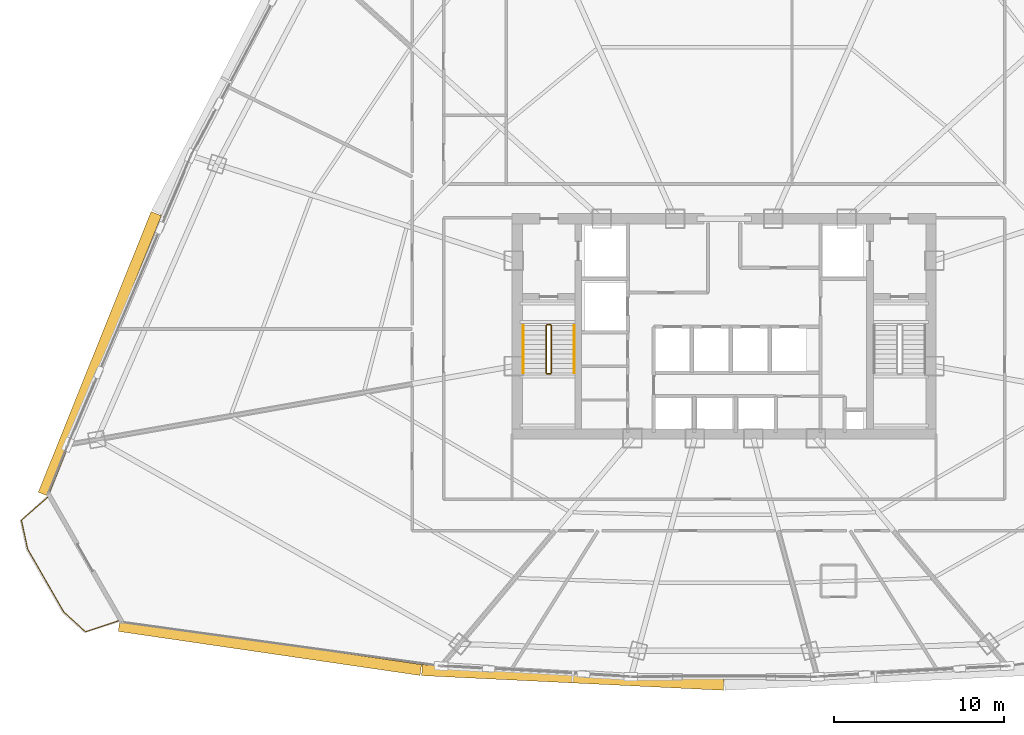
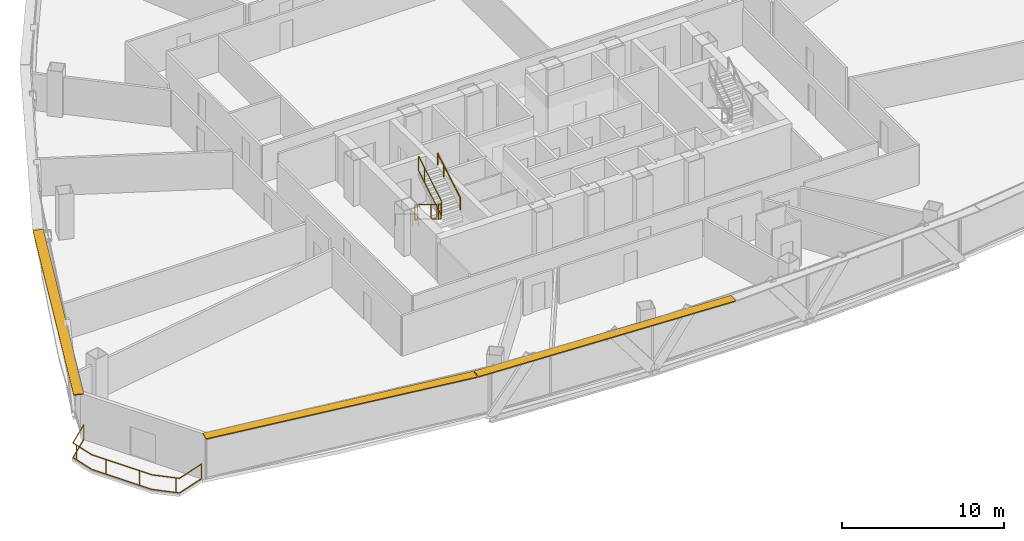
# One storey, part 36 of 39: 7 railings, 3 shading devices.
"""IFC4 building model written with IfcOpenShell, lengths in metres."""

from ifc_helpers import new_model, si_unit, direction, frame, origin, origin_2d, place, context, subcontext, project, spatial, rectangle, extrude, source, transform, mapped, material, layer, layer_set, type_object, element, save


model = new_model("IFC4")

# Units and contexts
model_context = context("Model", 3, precision=1e-05, world=origin(), true_north=direction((0.0, 1.0)))
body_context = subcontext(model_context, "Body", "Model", "MODEL_VIEW")
ifc_project = project(units=[si_unit("LENGTHUNIT", "METRE"), si_unit("AREAUNIT", "SQUARE_METRE"), si_unit("VOLUMEUNIT", "CUBIC_METRE"), si_unit("PLANEANGLEUNIT", "RADIAN"), si_unit("MASSUNIT", "GRAM", prefix="KILO"), si_unit("THERMODYNAMICTEMPERATUREUNIT", "KELVIN"), si_unit("POWERUNIT", "WATT")], contexts=[model_context])

# Site, building, storey
site_placement = place(None, origin())
site = spatial("IfcSite", under=ifc_project, at=site_placement, CompositionType="ELEMENT")
building_placement = place(site_placement, origin())
building = spatial("IfcBuilding", under=site, at=building_placement, Name="Yunzhuo Pagoda Commons", CompositionType="ELEMENT")
storey_placement = place(building_placement, frame((0.0, 0.0, 144.550048828125)))
storey = spatial("IfcBuildingStorey", under=building, at=storey_placement, Name="L36", CompositionType="ELEMENT", Elevation=144.550048828125)

# Railings
ifc_material = material(Name="Anodized aluminium 6063-T6", Category="aluminium")
railing_type_1 = type_object("IfcRailingType", Name="GR-ST1 Stair Well Guardrail 1150", PredefinedType="GUARDRAIL", material=ifc_material)
railing_1_placement = place(storey_placement, frame((37.5, 33.89990234375, 0.167236328125)))
element("IfcRailing", 1, at=railing_1_placement, inside=storey, type_object=railing_type_1, Name="L36 ST1 stair guard 1", PredefinedType="GUARDRAIL", context=body_context, shape_type="SweptSolid", body=[
    extrude(rectangle(XDim=0.048095703125, YDim=0.048095703125, at=origin_2d()), frame((0.0, 0.0, 1.1259765625), z_axis=(0.0, -0.858475523978, 0.512854535645), x_axis=(1.0, 0.0, 0.0)), (0.0, 0.0, 1.0), 3.261474609375),
    extrude(rectangle(XDim=0.048095703125, YDim=0.048095703125, at=origin_2d()), frame((0.0, 0.0, 0.02392578125), z_axis=(0.0, -0.858475523978, 0.512854535645), x_axis=(1.0, 0.0, 0.0)), (0.0, 0.0, 1.0), 3.261474609375),
    extrude(rectangle(XDim=0.0419921875, YDim=0.0419921875, at=origin_2d()), origin(), (0.0, 0.0, 1.0), 1.101806640625),
    extrude(rectangle(XDim=0.0419921875, YDim=0.0419921875, at=origin_2d()), frame((0.0, -2.060302734375, 1.23095703125)), (0.0, 0.0, 1.0), 1.101806640625),
    extrude(rectangle(XDim=0.0419921875, YDim=0.0419921875, at=origin_2d()), frame((0.0, -2.7998046875, 1.672607421875)), (0.0, 0.0, 1.0), 1.101806640625),
])
railing_2_placement = place(storey_placement, frame((37.550048828125, 31.050048828125, 1.83984375)))
element("IfcRailing", 2, at=railing_2_placement, inside=storey, type_object=railing_type_1, Name="L36 ST1 stair guard 2", PredefinedType="GUARDRAIL", context=body_context, shape_type="SweptSolid", body=[
    extrude(rectangle(XDim=0.048095703125, YDim=0.048095703125, at=origin_2d()), frame((0.0, 0.0, 1.1259765625), z_axis=(1.0, 0.0, 0.0), x_axis=(0.0, 1.0, 0.0)), (0.0, 0.0, 1.0), 0.199951171875),
    extrude(rectangle(XDim=0.048095703125, YDim=0.048095703125, at=origin_2d()), frame((0.0, 0.0, 0.02392578125), z_axis=(1.0, 0.0, 0.0), x_axis=(0.0, 1.0, 0.0)), (0.0, 0.0, 1.0), 0.199951171875),
    extrude(rectangle(XDim=0.0419921875, YDim=0.0419921875, at=origin_2d()), origin(), (0.0, 0.0, 1.0), 1.101806640625),
    extrude(rectangle(XDim=0.0419921875, YDim=0.0419921875, at=origin_2d()), frame((0.199951171875, 0.0, 0.0)), (0.0, 0.0, 1.0), 1.101806640625),
])
railing_3_placement = place(storey_placement, frame((37.800048828125, 31.10009765625, 2.00732421875)))
element("IfcRailing", 3, at=railing_3_placement, inside=storey, type_object=railing_type_1, Name="L36 ST1 stair guard 3", PredefinedType="GUARDRAIL", context=body_context, shape_type="SweptSolid", body=[
    extrude(rectangle(XDim=0.048095703125, YDim=0.048095703125, at=origin_2d()), frame((0.0, 0.0, 1.1259765625), z_axis=(0.0, 0.858475523978, 0.512854535645), x_axis=(-1.0, 0.0, 0.0)), (0.0, 0.0, 1.0), 3.261474609375),
    extrude(rectangle(XDim=0.048095703125, YDim=0.048095703125, at=origin_2d()), frame((0.0, 0.0, 0.02392578125), z_axis=(0.0, 0.858475523978, 0.512854535645), x_axis=(-1.0, 0.0, 0.0)), (0.0, 0.0, 1.0), 3.261474609375),
    extrude(rectangle(XDim=0.0419921875, YDim=0.0419921875, at=origin_2d()), origin(), (0.0, 0.0, 1.0), 1.101806640625),
    extrude(rectangle(XDim=0.0419921875, YDim=0.0419921875, at=origin_2d()), frame((0.0, 2.060302734375, 1.23095703125)), (0.0, 0.0, 1.0), 1.101806640625),
    extrude(rectangle(XDim=0.0419921875, YDim=0.0419921875, at=origin_2d()), frame((0.0, 2.7998046875, 1.672607421875)), (0.0, 0.0, 1.0), 1.101806640625),
])
railing_4_placement = place(storey_placement, frame((37.550048828125, 33.949951171875, 0.0)))
element("IfcRailing", 4, at=railing_4_placement, inside=storey, type_object=railing_type_1, Name="L36 ST1 stair guard 4", PredefinedType="GUARDRAIL", context=body_context, shape_type="SweptSolid", body=[
    extrude(rectangle(XDim=0.048095703125, YDim=0.048095703125, at=origin_2d()), frame((0.0, 0.0, 1.1259765625), z_axis=(1.0, 0.0, 0.0), x_axis=(0.0, 1.0, 0.0)), (0.0, 0.0, 1.0), 0.199951171875),
    extrude(rectangle(XDim=0.048095703125, YDim=0.048095703125, at=origin_2d()), frame((0.0, 0.0, 0.02392578125), z_axis=(1.0, 0.0, 0.0), x_axis=(0.0, 1.0, 0.0)), (0.0, 0.0, 1.0), 0.199951171875),
    extrude(rectangle(XDim=0.0419921875, YDim=0.0419921875, at=origin_2d()), origin(), (0.0, 0.0, 1.0), 1.101806640625),
    extrude(rectangle(XDim=0.0419921875, YDim=0.0419921875, at=origin_2d()), frame((0.199951171875, 0.0, 0.0)), (0.0, 0.0, 1.0), 1.101806640625),
])
railing_type_2 = type_object("IfcRailingType", Name="HR-ST1 Stair Handrail 900", PredefinedType="HANDRAIL", material=ifc_material)
railing_5_placement = place(storey_placement, frame((36.14990234375, 33.89990234375, 0.167236328125)))
element("IfcRailing", 5, at=railing_5_placement, inside=storey, type_object=railing_type_2, Name="L36 ST1 stair handrail 1", PredefinedType="HANDRAIL", context=body_context, shape_type="SweptSolid", body=[
    extrude(rectangle(XDim=0.048095703125, YDim=0.048095703125, at=origin_2d()), frame((0.0, 0.0, 0.8759765625), z_axis=(0.0, -0.858475523978, 0.512854535645), x_axis=(1.0, 0.0, 0.0)), (0.0, 0.0, 1.0), 3.261474609375),
    extrude(rectangle(XDim=0.0419921875, YDim=0.0419921875, at=origin_2d()), origin(), (0.0, 0.0, 1.0), 0.851806640625),
    extrude(rectangle(XDim=0.0419921875, YDim=0.0419921875, at=origin_2d()), frame((0.0, -2.060302734375, 1.23095703125)), (0.0, 0.0, 1.0), 0.851806640625),
    extrude(rectangle(XDim=0.0419921875, YDim=0.0419921875, at=origin_2d()), frame((0.0, -2.7998046875, 1.672607421875)), (0.0, 0.0, 1.0), 0.851806640625),
])
railing_6_placement = place(storey_placement, frame((39.14990234375, 31.10009765625, 2.00732421875)))
element("IfcRailing", 6, at=railing_6_placement, inside=storey, type_object=railing_type_2, Name="L36 ST1 stair handrail 2", PredefinedType="HANDRAIL", context=body_context, shape_type="SweptSolid", body=[
    extrude(rectangle(XDim=0.048095703125, YDim=0.048095703125, at=origin_2d()), frame((0.0, 0.0, 0.8759765625), z_axis=(0.0, 0.858475523978, 0.512854535645), x_axis=(-1.0, 0.0, 0.0)), (0.0, 0.0, 1.0), 3.261474609375),
    extrude(rectangle(XDim=0.0419921875, YDim=0.0419921875, at=origin_2d()), origin(), (0.0, 0.0, 1.0), 0.851806640625),
    extrude(rectangle(XDim=0.0419921875, YDim=0.0419921875, at=origin_2d()), frame((0.0, 2.060302734375, 1.23095703125)), (0.0, 0.0, 1.0), 0.851806640625),
    extrude(rectangle(XDim=0.0419921875, YDim=0.0419921875, at=origin_2d()), frame((0.0, 2.7998046875, 1.672607421875)), (0.0, 0.0, 1.0), 0.851806640625),
])
railing_type_3 = type_object("IfcRailingType", Name="RL-BAL1 Exterior Terrace & Balcony Balustrade 1150", PredefinedType="BALUSTRADE", material=ifc_material)
railing_7_placement = place(storey_placement, frame((8.103515625, 23.773681640625, 0.0)))
element("IfcRailing", 7, at=railing_7_placement, inside=storey, type_object=railing_type_3, Name="L36 corner balcony balustrade V1", PredefinedType="BALUSTRADE", context=body_context, shape_type="SweptSolid", body=[
    extrude(rectangle(XDim=0.048095703125, YDim=0.048095703125, at=origin_2d()), frame((0.0, 0.0, 1.1259765625), z_axis=(-0.753933830692, -0.656950362614, 0.0), x_axis=(0.656950362614, -0.753933830692, 0.0)), (0.0, 0.0, 1.0), 2.05908203125),
    extrude(rectangle(XDim=0.048095703125, YDim=0.048095703125, at=origin_2d()), frame((0.0, 0.0, 0.02392578125), z_axis=(-0.753933830692, -0.656950362614, 0.0), x_axis=(0.656950362614, -0.753933830692, 0.0)), (0.0, 0.0, 1.0), 2.05908203125),
    extrude(rectangle(XDim=0.048095703125, YDim=0.048095703125, at=origin_2d()), frame((-1.552490234375, -1.352783203125, 1.1259765625), z_axis=(0.210380911568, -0.977619492465, 0.0), x_axis=(0.977619492465, 0.210380911568, 0.0)), (0.0, 0.0, 1.0), 1.741943359375),
    extrude(rectangle(XDim=0.048095703125, YDim=0.048095703125, at=origin_2d()), frame((-1.552490234375, -1.352783203125, 0.02392578125), z_axis=(0.210380911568, -0.977619492465, 0.0), x_axis=(0.977619492465, 0.210380911568, 0.0)), (0.0, 0.0, 1.0), 1.741943359375),
    extrude(rectangle(XDim=0.048095703125, YDim=0.048095703125, at=origin_2d()), frame((-1.18603515625, -3.0556640625, 1.1259765625), z_axis=(0.497938246053, -0.867212490176, 0.0), x_axis=(0.867212490176, 0.497938246053, 0.0)), (0.0, 0.0, 1.0), 4.27880859375),
    extrude(rectangle(XDim=0.048095703125, YDim=0.048095703125, at=origin_2d()), frame((-1.18603515625, -3.0556640625, 0.02392578125), z_axis=(0.497938246053, -0.867212490176, 0.0), x_axis=(0.867212490176, 0.497938246053, 0.0)), (0.0, 0.0, 1.0), 4.27880859375),
    extrude(rectangle(XDim=0.048095703125, YDim=0.048095703125, at=origin_2d()), frame((0.944580078125, -6.766357421875, 1.1259765625), z_axis=(0.738206272815, -0.674575050514, 0.0), x_axis=(0.674575050514, 0.738206272815, 0.0)), (0.0, 0.0, 1.0), 1.741943359375),
    extrude(rectangle(XDim=0.048095703125, YDim=0.048095703125, at=origin_2d()), frame((0.944580078125, -6.766357421875, 0.02392578125), z_axis=(0.738206272815, -0.674575050514, 0.0), x_axis=(0.674575050514, 0.738206272815, 0.0)), (0.0, 0.0, 1.0), 1.741943359375),
    extrude(rectangle(XDim=0.048095703125, YDim=0.048095703125, at=origin_2d()), frame((2.23046875, -7.94140625, 1.1259765625), z_axis=(0.947419062147, 0.319995501031, 0.0), x_axis=(-0.319995501031, 0.947419062147, 0.0)), (0.0, 0.0, 1.0), 2.05908203125),
    extrude(rectangle(XDim=0.048095703125, YDim=0.048095703125, at=origin_2d()), frame((2.23046875, -7.94140625, 0.02392578125), z_axis=(0.947419062147, 0.319995501031, 0.0), x_axis=(-0.319995501031, 0.947419062147, 0.0)), (0.0, 0.0, 1.0), 2.05908203125),
    extrude(rectangle(XDim=0.0419921875, YDim=0.0419921875, at=origin_2d()), origin(), (0.0, 0.0, 1.0), 1.101806640625),
    extrude(rectangle(XDim=0.0419921875, YDim=0.0419921875, at=origin_2d()), frame((-1.480712890625, -1.68603515625, 0.0)), (0.0, 0.0, 1.0), 1.101806640625),
    extrude(rectangle(XDim=0.0419921875, YDim=0.0419921875, at=origin_2d()), frame((-0.688720703125, -3.921875, 0.0)), (0.0, 0.0, 1.0), 1.101806640625),
    extrude(rectangle(XDim=0.0419921875, YDim=0.0419921875, at=origin_2d()), frame((0.50634765625, -6.003173828125, 0.0)), (0.0, 0.0, 1.0), 1.101806640625),
    extrude(rectangle(XDim=0.0419921875, YDim=0.0419921875, at=origin_2d()), frame((2.066650390625, -7.791748046875, 0.0)), (0.0, 0.0, 1.0), 1.101806640625),
    extrude(rectangle(XDim=0.0419921875, YDim=0.0419921875, at=origin_2d()), frame((4.181396484375, -7.282470703125, 0.0)), (0.0, 0.0, 1.0), 1.101806640625),
])

# Shading devices
ifc_layer = layer(ifc_material, 0.080078125)
ifc_layer_set = layer_set([ifc_layer], Name="Anodized aluminium 6063-T6")
shading_device_type = type_object("IfcShadingDeviceType", Name="SH-SUN1 Pagoda Horizontal Sunshade Eave 650", PredefinedType="USERDEFINED", material=ifc_layer_set)
shared_shape_1 = source(origin(), body_context, "Body", "SweptSolid", [
    extrude(rectangle(XDim=17.98681640625, YDim=0.64990234375, at=origin_2d()), origin(), (0.0, 0.0, 1.0), 0.080078125),
])
shading_device_1_placement = place(storey_placement, frame((21.208984375, 14.882080078125, 3.33984375), z_axis=(0.0, 0.0, 1.0), x_axis=(0.989510666697, -0.144459823108, 0.0)))
element("IfcShadingDevice", 8, at=shading_device_1_placement, inside=storey, type_object=shading_device_type, Name="L36 horizontal pagoda sunshade eave F1.1", ObjectType="SUNSHADE", PredefinedType="USERDEFINED", context=body_context, shape_type="MappedRepresentation", body=[
    mapped(shared_shape_1, transform((0.0, 0.0, 0.0), scale=1.0)),
])
shared_shape_2 = source(origin(), body_context, "Body", "SweptSolid", [
    extrude(rectangle(XDim=17.818603515625, YDim=0.64990234375, at=origin_2d()), origin(), (0.0, 0.0, 1.0), 0.080078125),
])
shading_device_2_placement = place(storey_placement, frame((39.069580078125, 13.14404296875, 3.33984375), z_axis=(0.0, 0.0, 1.0), x_axis=(0.998818043775, -0.04860571396, 0.0)))
element("IfcShadingDevice", 9, at=shading_device_2_placement, inside=storey, type_object=shading_device_type, Name="L36 horizontal pagoda sunshade eave F1.2", ObjectType="SUNSHADE", PredefinedType="USERDEFINED", context=body_context, shape_type="MappedRepresentation", body=[
    mapped(shared_shape_2, transform((0.0, 0.0, 0.0), scale=1.0)),
])
shared_shape_3 = source(origin(), body_context, "Body", "SweptSolid", [
    extrude(rectangle(XDim=17.842041015625, YDim=0.64990234375, at=origin_2d()), origin(), (0.0, 0.0, 1.0), 0.080078125),
])
shading_device_3_placement = place(storey_placement, frame((11.176025390625, 32.228271484375, 3.33984375), z_axis=(0.0, 0.0, 1.0), x_axis=(-0.372987782576, -0.927836253899, 0.0)))
element("IfcShadingDevice", 10, at=shading_device_3_placement, inside=storey, type_object=shading_device_type, Name="L36 horizontal pagoda sunshade eave F3.4", ObjectType="SUNSHADE", PredefinedType="USERDEFINED", context=body_context, shape_type="MappedRepresentation", body=[
    mapped(shared_shape_3, transform((0.0, 0.0, 0.0), scale=1.0)),
])

save(model, "model.ifc")
